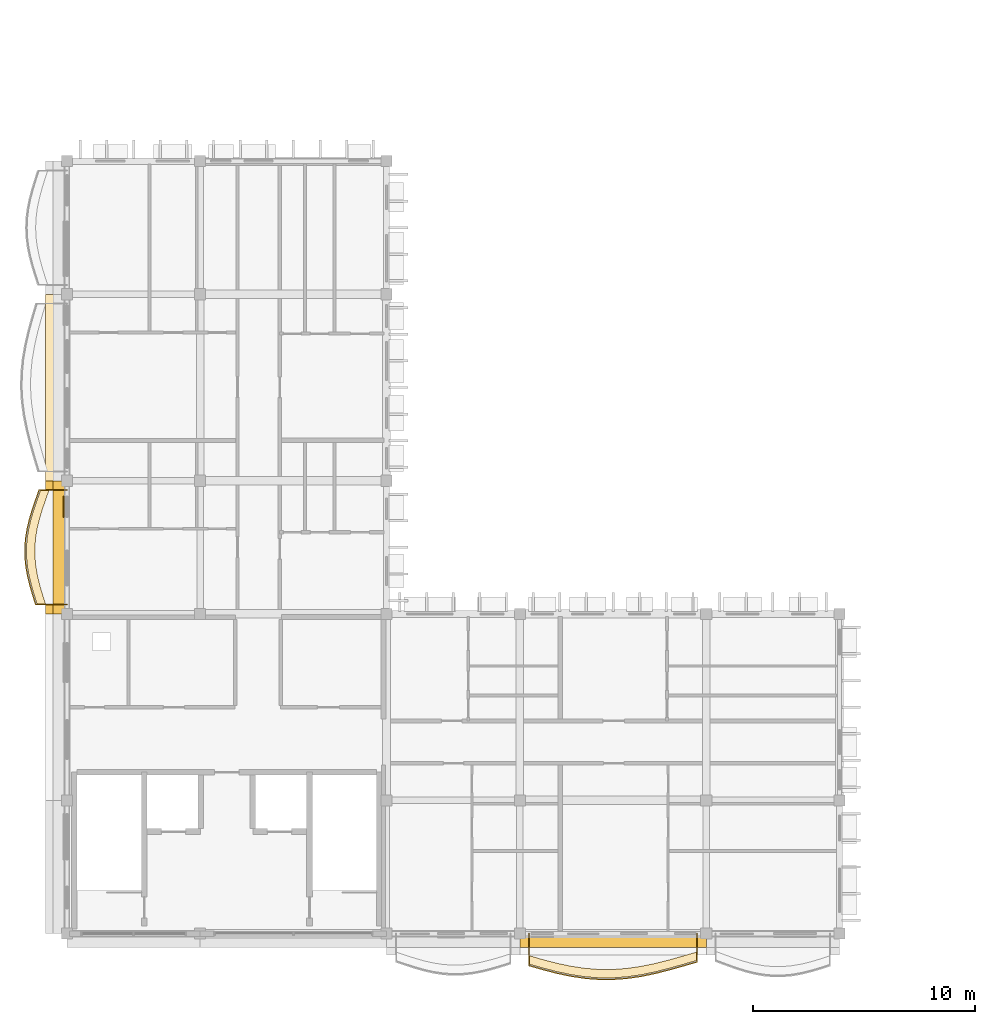
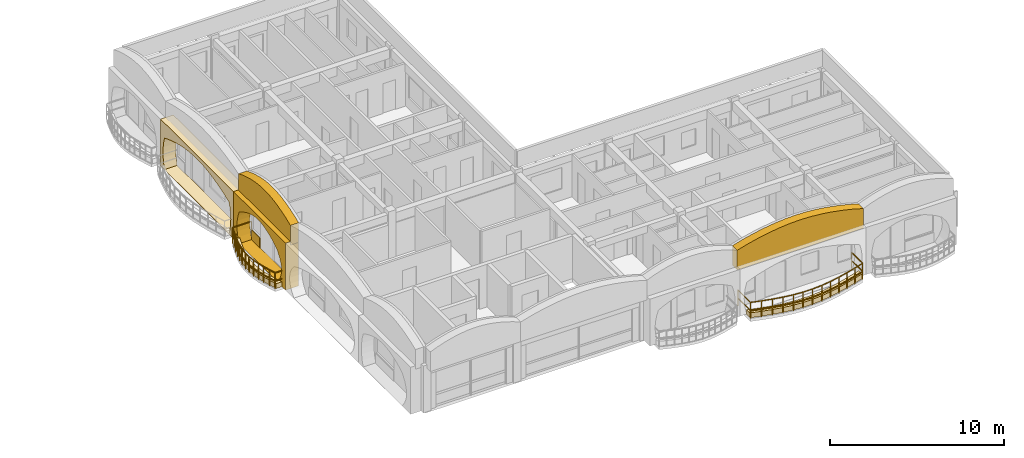
# One storey, part 30 of 45: 7 coverings, 2 railings.
"""IFC4 building model written with IfcOpenShell, lengths in metres."""

from ifc_helpers import new_model, si_unit, direction, frame, origin, origin_2d, place, context, subcontext, project, spatial, polyline, rectangle, outline, extrude, material, layer, layer_set, type_object, element, save


model = new_model("IFC4")

# Units and contexts
model_context = context("Model", 3, precision=1e-05, world=origin(), true_north=direction((0.0, 1.0)))
body_context = subcontext(model_context, "Body", "Model", "MODEL_VIEW")
ifc_project = project(units=[si_unit("LENGTHUNIT", "METRE"), si_unit("AREAUNIT", "SQUARE_METRE"), si_unit("VOLUMEUNIT", "CUBIC_METRE"), si_unit("PLANEANGLEUNIT", "RADIAN"), si_unit("MASSUNIT", "GRAM", prefix="KILO"), si_unit("THERMODYNAMICTEMPERATUREUNIT", "KELVIN")], contexts=[model_context])

# Site, building, storey
site_placement = place(None, origin())
site = spatial("IfcSite", under=ifc_project, at=site_placement, CompositionType="ELEMENT")
building_placement = place(site_placement, origin())
building = spatial("IfcBuilding", under=site, at=building_placement, Name="Thalorik Housing Commons", CompositionType="ELEMENT")
storey_placement = place(building_placement, frame((0.0, 0.0, 34.5)))
storey = spatial("IfcBuildingStorey", under=building, at=storey_placement, Name="L10", CompositionType="ELEMENT", Elevation=34.5)

# Coverings
ifc_material_1 = material(Name="Precast concrete C40/50", Category="concrete")
ifc_layer_1 = layer(ifc_material_1, 0.85009765625, Name="Precast concrete C40/50", Category="concrete")
ifc_layer_set_1 = layer_set([ifc_layer_1], Name="Precast concrete C40/50")
covering_type_1 = type_object("IfcCoveringType", Name="ARC-CLD-CUSH-850", PredefinedType="CLADDING", material=ifc_layer_set_1)
covering_1_placement = place(storey_placement, frame((7.867431640625, 33.0, 0.0), z_axis=(0.0, 0.0, 1.0), x_axis=(0.0, -1.0, 0.0)))
element("IfcCovering", 1, at=covering_1_placement, inside=storey, type_object=covering_type_1, Name="L10 White Precast Curved Cushion Bay Frame 4459", PredefinedType="CLADDING", context=body_context, shape_type="SweptSolid", body=[
    extrude(outline(polyline([(-4.199951171875, 0.0), (4.199951171875, 0.0), (4.199951171875, 3.300048828125), (-4.199951171875, 3.300048828125), (-4.199951171875, 0.0)]), holes=[polyline([(3.695068359375, 0.02490234375), (3.801513671875, 0.394287109375), (3.865478515625, 0.76318359375), (3.886962890625, 1.132568359375), (3.865478515625, 1.501708984375), (3.801513671875, 1.870849609375), (3.695068359375, 2.239990234375), (3.074951171875, 2.4833984375), (2.455078125, 2.6748046875), (1.8349609375, 2.82958984375), (1.215087890625, 2.94482421875), (0.594970703125, 3.01611328125), (-0.02490234375, 3.0400390625), (-0.64501953125, 3.01611328125), (-1.264892578125, 2.94482421875), (-1.885009765625, 2.82958984375), (-2.5048828125, 2.6748046875), (-3.125, 2.4833984375), (-3.7451171875, 2.239990234375), (-3.841064453125, 1.870849609375), (-3.898681640625, 1.501708984375), (-3.91796875, 1.132568359375), (-3.898681640625, 0.76318359375), (-3.841064453125, 0.394287109375), (-3.7451171875, 0.02490234375), (3.695068359375, 0.02490234375)])]), frame((0.0, 0.425048828125, 0.0), z_axis=(0.0, -1.0, 0.0), x_axis=(1.0, 0.0, 0.0)), (0.0, 0.0, 1.0), 0.85009765625),
])
covering_2_placement = place(storey_placement, frame((7.867431640625, 25.800048828125, 0.0), z_axis=(0.0, 0.0, 1.0), x_axis=(0.0, -1.0, 0.0)))
element("IfcCovering", 2, at=covering_2_placement, inside=storey, type_object=covering_type_1, Name="L10 White Precast Curved Cushion Bay Frame 4461", PredefinedType="CLADDING", context=body_context, shape_type="SweptSolid", body=[
    extrude(outline(polyline([(-3.0, 0.0), (3.0, 0.0), (3.0, 3.300048828125), (-3.0, 3.300048828125), (-3.0, 0.0)]), holes=[polyline([(2.0400390625, 0.02490234375), (2.3232421875, 0.394287109375), (2.493408203125, 0.76318359375), (2.550048828125, 1.132568359375), (2.493408203125, 1.501708984375), (2.3232421875, 1.870849609375), (2.0400390625, 2.239990234375), (1.67431640625, 2.4833984375), (1.308349609375, 2.6748046875), (0.9423828125, 2.82958984375), (0.57666015625, 2.94482421875), (0.210693359375, 3.01611328125), (-0.155029296875, 3.0400390625), (-0.520751953125, 3.01611328125), (-0.88671875, 2.94482421875), (-1.25244140625, 2.82958984375), (-1.618408203125, 2.6748046875), (-1.984130859375, 2.4833984375), (-2.35009765625, 2.239990234375), (-2.4873046875, 1.870849609375), (-2.569580078125, 1.501708984375), (-2.596923828125, 1.132568359375), (-2.569580078125, 0.76318359375), (-2.4873046875, 0.394287109375), (-2.35009765625, 0.02490234375), (2.0400390625, 0.02490234375)])]), frame((0.0, 0.425048828125, 0.0), z_axis=(0.0, -1.0, 0.0), x_axis=(1.0, 0.0, 0.0)), (0.0, 0.0, 1.0), 0.85009765625),
])
ifc_layer_2 = layer(ifc_material_1, 0.550048828125, Name="Precast concrete C40/50", Category="concrete")
ifc_layer_set_2 = layer_set([ifc_layer_2], Name="Precast concrete C40/50")
covering_type_2 = type_object("IfcCoveringType", Name="ARC-CLD-PAR-550", PredefinedType="CLADDING", material=ifc_layer_set_2)
covering_3_placement = place(storey_placement, frame((8.04248046875, 25.800048828125, 3.06005859375), z_axis=(0.0, 0.0, 1.0), x_axis=(0.0, -1.0, 0.0)))
element("IfcCovering", 3, at=covering_3_placement, inside=storey, type_object=covering_type_2, Name="L10 Block C Scalloped White Precast Parapet Crest 4517", PredefinedType="CLADDING", context=body_context, shape_type="SweptSolid", body=[
    extrude(outline(polyline([(-3.0, 0.0), (3.0, 0.0), (3.0, 1.3798828125), (2.5, 1.58154296875), (2.0, 1.744384765625), (1.5, 1.877685546875), (1.0, 1.977294921875), (0.5, 2.0390625), (0.0, 2.06005859375), (-0.5, 2.0390625), (-1.0, 1.977294921875), (-1.5, 1.877685546875), (-2.0, 1.744384765625), (-2.5, 1.58154296875), (-3.0, 1.3798828125), (-3.0, 0.0)])), frame((0.0, 0.27490234375, 0.0), z_axis=(0.0, -1.0, 0.0), x_axis=(1.0, 0.0, 0.0)), (0.0, 0.0, 1.0), 0.550048828125),
])
covering_4_placement = place(storey_placement, frame((33.0, 8.04248046875, 3.06005859375), z_axis=(0.0, 0.0, 1.0), x_axis=(1.0, 0.0, 0.0)))
element("IfcCovering", 4, at=covering_4_placement, inside=storey, type_object=covering_type_2, Name="L10 Block C Scalloped White Precast Parapet Crest 4523", PredefinedType="CLADDING", context=body_context, shape_type="SweptSolid", body=[
    extrude(outline(polyline([(-4.199951171875, 0.0), (4.199951171875, 0.0), (4.199951171875, 1.3798828125), (3.5, 1.58154296875), (2.800048828125, 1.744384765625), (2.10009765625, 1.877685546875), (1.39990234375, 1.977294921875), (0.699951171875, 2.0390625), (0.0, 2.06005859375), (-0.699951171875, 2.0390625), (-1.39990234375, 1.977294921875), (-2.10009765625, 1.877685546875), (-2.800048828125, 1.744384765625), (-3.5, 1.58154296875), (-4.199951171875, 1.3798828125), (-4.199951171875, 0.0)])), frame((0.0, 0.27490234375, 0.0), z_axis=(0.0, -1.0, 0.0), x_axis=(1.0, 0.0, 0.0)), (0.0, 0.0, 1.0), 0.550048828125),
])
ifc_material_2 = material(Name="Terracotta red mineral fibre-cement panel", Category="masonry")
ifc_layer_3 = layer(ifc_material_2, 0.054931640625, Name="Terracotta red mineral fibre-cement panel", Category="masonry")
ifc_layer_set_3 = layer_set([ifc_layer_3], Name="Terracotta red mineral fibre-cement panel")
covering_type_3 = type_object("IfcCoveringType", Name="ARC-CLD-RED-55", PredefinedType="CLADDING", material=ifc_layer_set_3)
covering_5_placement = place(storey_placement, frame((8.260009765625, 27.625, 0.0498046875), z_axis=(0.0, 0.0, 1.0), x_axis=(0.0, -1.0, 0.0)))
element("IfcCovering", 5, at=covering_5_placement, inside=storey, type_object=covering_type_3, Name="L10 De Stijl Recessed Window Spandrel 4462", PredefinedType="CLADDING", context=body_context, shape_type="SweptSolid", body=[
    extrude(rectangle(XDim=0.949951171875, YDim=0.054931640625, at=origin_2d()), origin(), (0.0, 0.0, 1.0), 0.699951171875),
])
ifc_material_3 = material(Name="Planted vegetated substrate and terracotta trough", Category="masonry")
ifc_layer_4 = layer(ifc_material_3, 0.340087890625, Name="Planted vegetated substrate and terracotta trough", Category="masonry")
ifc_layer_set_4 = layer_set([ifc_layer_4], Name="Planted vegetated substrate and terracotta trough")
covering_type_4 = type_object("IfcCoveringType", Name="ARC-COV-PLANTER", PredefinedType="USERDEFINED", material=ifc_layer_set_4)
covering_6_placement = place(storey_placement, origin())
element("IfcCovering", 6, at=covering_6_placement, inside=storey, type_object=covering_type_4, Name="L10 Balcony Slab-Edge Planted Trough 5639", ObjectType="PLANTER", PredefinedType="USERDEFINED", context=body_context, shape_type="SweptSolid", body=[
    extrude(outline(polyline([(7.213134765625, 28.3798828125), (7.060302734375, 27.949951171875), (6.913818359375, 27.52001953125), (6.7841796875, 27.090087890625), (6.68017578125, 26.659912109375), (6.608154296875, 26.22998046875), (6.572998046875, 25.800048828125), (6.576904296875, 25.3701171875), (6.618408203125, 24.93994140625), (6.694580078125, 24.510009765625), (6.79931640625, 24.080078125), (6.924560546875, 23.64990234375), (7.061279296875, 23.219970703125), (7.44140625, 23.219970703125), (7.304443359375, 23.64990234375), (7.17919921875, 24.080078125), (7.074462890625, 24.510009765625), (6.998291015625, 24.93994140625), (6.956787109375, 25.3701171875), (6.953125, 25.800048828125), (6.98828125, 26.22998046875), (7.06005859375, 26.659912109375), (7.164306640625, 27.090087890625), (7.2939453125, 27.52001953125), (7.440185546875, 27.949951171875), (7.59326171875, 28.3798828125), (7.213134765625, 28.3798828125)])), origin(), (0.0, 0.0, 1.0), 0.340087890625),
])
covering_7_placement = place(storey_placement, origin())
element("IfcCovering", 7, at=covering_7_placement, inside=storey, type_object=covering_type_4, Name="L10 Balcony Slab-Edge Planted Trough 5643", ObjectType="PLANTER", PredefinedType="USERDEFINED", context=body_context, shape_type="SweptSolid", body=[
    extrude(outline(polyline([(29.219970703125, 7.023681640625), (29.85009765625, 6.84375), (30.47998046875, 6.681884765625), (31.110107421875, 6.54931640625), (31.739990234375, 6.455322265625), (32.3701171875, 6.406005859375), (33.0, 6.40478515625), (33.6298828125, 6.45166015625), (34.260009765625, 6.543212890625), (34.889892578125, 6.6728515625), (35.52001953125, 6.831787109375), (36.14990234375, 7.0087890625), (36.780029296875, 7.19140625), (36.780029296875, 7.571533203125), (36.14990234375, 7.388671875), (35.52001953125, 7.2119140625), (34.889892578125, 7.052978515625), (34.260009765625, 6.923095703125), (33.6298828125, 6.831787109375), (33.0, 6.784912109375), (32.3701171875, 6.785888671875), (31.739990234375, 6.835205078125), (31.110107421875, 6.92919921875), (30.47998046875, 7.061767578125), (29.85009765625, 7.2236328125), (29.219970703125, 7.40380859375), (29.219970703125, 7.023681640625)])), origin(), (0.0, 0.0, 1.0), 0.340087890625),
])

# Railings
ifc_material_4 = material(Name="Steel S355", Category="steel")
railing_type = type_object("IfcRailingType", Name="ARC-RL-BAL-115", PredefinedType="BALUSTRADE", material=ifc_material_4)
railing_1_placement = place(storey_placement, frame((8.39990234375, 28.3798828125, 0.0)))
element("IfcRailing", 8, at=railing_1_placement, inside=storey, type_object=railing_type, Name="L10 Cushion Balcony Guardrail 323", PredefinedType="BALUSTRADE", context=body_context, shape_type="SweptSolid", body=[
    extrude(rectangle(XDim=0.050048828125, YDim=0.050048828125, at=origin_2d()), frame((0.0, 0.0, 1.125), z_axis=(-1.0, 0.0, 0.0), x_axis=(0.0, -1.0, 0.0)), (0.0, 0.0, 1.0), 1.256591796875),
    extrude(rectangle(XDim=0.050048828125, YDim=0.050048828125, at=origin_2d()), frame((0.0, 0.0, 0.5498046875), z_axis=(-1.0, 0.0, 0.0), x_axis=(0.0, -1.0, 0.0)), (0.0, 0.0, 1.0), 1.256591796875),
    extrude(rectangle(XDim=0.050048828125, YDim=0.050048828125, at=origin_2d()), frame((-1.256591796875, 0.0, 1.125), z_axis=(-0.335421235199, -0.942068253885, 0.0), x_axis=(0.942068253885, -0.335421235199, 0.0)), (0.0, 0.0, 1.0), 0.456298828125),
    extrude(rectangle(XDim=0.050048828125, YDim=0.050048828125, at=origin_2d()), frame((-1.256591796875, 0.0, 0.5498046875), z_axis=(-0.335421235199, -0.942068253885, 0.0), x_axis=(0.942068253885, -0.335421235199, 0.0)), (0.0, 0.0, 1.0), 0.456298828125),
    extrude(rectangle(XDim=0.050048828125, YDim=0.050048828125, at=origin_2d()), frame((-1.40966796875, -0.429931640625, 1.125), z_axis=(-0.322028024828, -0.94673013643, 0.0), x_axis=(0.94673013643, -0.322028024828, 0.0)), (0.0, 0.0, 1.0), 0.4541015625),
    extrude(rectangle(XDim=0.050048828125, YDim=0.050048828125, at=origin_2d()), frame((-1.40966796875, -0.429931640625, 0.5498046875), z_axis=(-0.322028024828, -0.94673013643, 0.0), x_axis=(0.94673013643, -0.322028024828, 0.0)), (0.0, 0.0, 1.0), 0.4541015625),
    extrude(rectangle(XDim=0.050048828125, YDim=0.050048828125, at=origin_2d()), frame((-1.555908203125, -0.85986328125, 1.125), z_axis=(-0.28869433299, -0.957421319012, 0.0), x_axis=(0.957421319012, -0.28869433299, 0.0)), (0.0, 0.0, 1.0), 0.448974609375),
    extrude(rectangle(XDim=0.050048828125, YDim=0.050048828125, at=origin_2d()), frame((-1.555908203125, -0.85986328125, 0.5498046875), z_axis=(-0.28869433299, -0.957421319012, 0.0), x_axis=(0.957421319012, -0.28869433299, 0.0)), (0.0, 0.0, 1.0), 0.448974609375),
    extrude(rectangle(XDim=0.050048828125, YDim=0.050048828125, at=origin_2d()), frame((-1.685546875, -1.289794921875, 1.125), z_axis=(-0.235521092215, -0.971869237666, 0.0), x_axis=(0.971869237666, -0.235521092215, 0.0)), (0.0, 0.0, 1.0), 0.442626953125),
    extrude(rectangle(XDim=0.050048828125, YDim=0.050048828125, at=origin_2d()), frame((-1.685546875, -1.289794921875, 0.5498046875), z_axis=(-0.235521092215, -0.971869237666, 0.0), x_axis=(0.971869237666, -0.235521092215, 0.0)), (0.0, 0.0, 1.0), 0.442626953125),
    extrude(rectangle(XDim=0.050048828125, YDim=0.050048828125, at=origin_2d()), frame((-1.789794921875, -1.719970703125, 1.125), z_axis=(-0.165216308844, -0.986257355507, 0.0), x_axis=(0.986257355507, -0.165216308844, 0.0)), (0.0, 0.0, 1.0), 0.43603515625),
    extrude(rectangle(XDim=0.050048828125, YDim=0.050048828125, at=origin_2d()), frame((-1.789794921875, -1.719970703125, 0.5498046875), z_axis=(-0.165216308844, -0.986257355507, 0.0), x_axis=(0.986257355507, -0.165216308844, 0.0)), (0.0, 0.0, 1.0), 0.43603515625),
    extrude(rectangle(XDim=0.050048828125, YDim=0.050048828125, at=origin_2d()), frame((-1.86181640625, -2.14990234375, 1.125), z_axis=(-0.080937446433, -0.996719183002, 0.0), x_axis=(0.996719183002, -0.080937446433, 0.0)), (0.0, 0.0, 1.0), 0.431396484375),
    extrude(rectangle(XDim=0.050048828125, YDim=0.050048828125, at=origin_2d()), frame((-1.86181640625, -2.14990234375, 0.5498046875), z_axis=(-0.080937446433, -0.996719183002, 0.0), x_axis=(0.996719183002, -0.080937446433, 0.0)), (0.0, 0.0, 1.0), 0.431396484375),
    extrude(rectangle(XDim=0.050048828125, YDim=0.050048828125, at=origin_2d()), frame((-1.896728515625, -2.579833984375, 1.125), z_axis=(0.008517578576, -0.99996372477, 0.0), x_axis=(0.99996372477, 0.008517578576, 0.0)), (0.0, 0.0, 1.0), 0.429931640625),
    extrude(rectangle(XDim=0.050048828125, YDim=0.050048828125, at=origin_2d()), frame((-1.896728515625, -2.579833984375, 0.5498046875), z_axis=(0.008517578576, -0.99996372477, 0.0), x_axis=(0.99996372477, 0.008517578576, 0.0)), (0.0, 0.0, 1.0), 0.429931640625),
    extrude(rectangle(XDim=0.050048828125, YDim=0.050048828125, at=origin_2d()), frame((-1.89306640625, -3.009765625, 1.125), z_axis=(0.09603532772, -0.995377926131, 0.0), x_axis=(0.995377926131, 0.09603532772, 0.0)), (0.0, 0.0, 1.0), 0.43212890625),
    extrude(rectangle(XDim=0.050048828125, YDim=0.050048828125, at=origin_2d()), frame((-1.89306640625, -3.009765625, 0.5498046875), z_axis=(0.09603532772, -0.995377926131, 0.0), x_axis=(0.995377926131, 0.09603532772, 0.0)), (0.0, 0.0, 1.0), 0.43212890625),
    extrude(rectangle(XDim=0.050048828125, YDim=0.050048828125, at=origin_2d()), frame((-1.8515625, -3.43994140625, 1.125), z_axis=(0.174455149241, -0.984665121198, 0.0), x_axis=(0.984665121198, 0.174455149241, 0.0)), (0.0, 0.0, 1.0), 0.4365234375),
    extrude(rectangle(XDim=0.050048828125, YDim=0.050048828125, at=origin_2d()), frame((-1.8515625, -3.43994140625, 0.5498046875), z_axis=(0.174455149241, -0.984665121198, 0.0), x_axis=(0.984665121198, 0.174455149241, 0.0)), (0.0, 0.0, 1.0), 0.4365234375),
    extrude(rectangle(XDim=0.050048828125, YDim=0.050048828125, at=origin_2d()), frame((-1.775390625, -3.869873046875, 1.125), z_axis=(0.236689448034, -0.971585356615, 0.0), x_axis=(0.971585356615, 0.236689448034, 0.0)), (0.0, 0.0, 1.0), 0.442626953125),
    extrude(rectangle(XDim=0.050048828125, YDim=0.050048828125, at=origin_2d()), frame((-1.775390625, -3.869873046875, 0.5498046875), z_axis=(0.236689448034, -0.971585356615, 0.0), x_axis=(0.971585356615, 0.236689448034, 0.0)), (0.0, 0.0, 1.0), 0.442626953125),
    extrude(rectangle(XDim=0.050048828125, YDim=0.050048828125, at=origin_2d()), frame((-1.670654296875, -4.2998046875, 1.125), z_axis=(0.279539626528, -0.960134155835, 0.0), x_axis=(0.960134155835, 0.279539626528, 0.0)), (0.0, 0.0, 1.0), 0.447998046875),
    extrude(rectangle(XDim=0.050048828125, YDim=0.050048828125, at=origin_2d()), frame((-1.670654296875, -4.2998046875, 0.5498046875), z_axis=(0.279539626528, -0.960134155835, 0.0), x_axis=(0.960134155835, 0.279539626528, 0.0)), (0.0, 0.0, 1.0), 0.447998046875),
    extrude(rectangle(XDim=0.050048828125, YDim=0.050048828125, at=origin_2d()), frame((-1.54541015625, -4.72998046875, 1.125), z_axis=(0.30304729671, -0.952975516976, 0.0), x_axis=(0.952975516976, 0.30304729671, 0.0)), (0.0, 0.0, 1.0), 0.451171875),
    extrude(rectangle(XDim=0.050048828125, YDim=0.050048828125, at=origin_2d()), frame((-1.54541015625, -4.72998046875, 0.5498046875), z_axis=(0.30304729671, -0.952975516976, 0.0), x_axis=(0.952975516976, 0.30304729671, 0.0)), (0.0, 0.0, 1.0), 0.451171875),
    extrude(rectangle(XDim=0.050048828125, YDim=0.050048828125, at=origin_2d()), frame((-1.40869140625, -5.159912109375, 1.125), z_axis=(1.0, 0.0, 0.0), x_axis=(0.0, 1.0, 0.0)), (0.0, 0.0, 1.0), 1.40869140625),
    extrude(rectangle(XDim=0.050048828125, YDim=0.050048828125, at=origin_2d()), frame((-1.40869140625, -5.159912109375, 0.5498046875), z_axis=(1.0, 0.0, 0.0), x_axis=(0.0, 1.0, 0.0)), (0.0, 0.0, 1.0), 1.40869140625),
    extrude(rectangle(XDim=0.0419921875, YDim=0.0419921875, at=origin_2d()), origin(), (0.0, 0.0, 1.0), 1.099853515625),
    extrude(rectangle(XDim=0.0419921875, YDim=0.0419921875, at=origin_2d()), frame((-1.256591796875, 0.0, 0.0)), (0.0, 0.0, 1.0), 1.099853515625),
    extrude(rectangle(XDim=0.0419921875, YDim=0.0419921875, at=origin_2d()), frame((-1.40966796875, -0.429931640625, 0.0)), (0.0, 0.0, 1.0), 1.099853515625),
    extrude(rectangle(XDim=0.0419921875, YDim=0.0419921875, at=origin_2d()), frame((-1.555908203125, -0.85986328125, 0.0)), (0.0, 0.0, 1.0), 1.099853515625),
    extrude(rectangle(XDim=0.0419921875, YDim=0.0419921875, at=origin_2d()), frame((-1.685546875, -1.289794921875, 0.0)), (0.0, 0.0, 1.0), 1.099853515625),
    extrude(rectangle(XDim=0.0419921875, YDim=0.0419921875, at=origin_2d()), frame((-1.789794921875, -1.719970703125, 0.0)), (0.0, 0.0, 1.0), 1.099853515625),
    extrude(rectangle(XDim=0.0419921875, YDim=0.0419921875, at=origin_2d()), frame((-1.86181640625, -2.14990234375, 0.0)), (0.0, 0.0, 1.0), 1.099853515625),
    extrude(rectangle(XDim=0.0419921875, YDim=0.0419921875, at=origin_2d()), frame((-1.896728515625, -2.579833984375, 0.0)), (0.0, 0.0, 1.0), 1.099853515625),
    extrude(rectangle(XDim=0.0419921875, YDim=0.0419921875, at=origin_2d()), frame((-1.89306640625, -3.009765625, 0.0)), (0.0, 0.0, 1.0), 1.099853515625),
    extrude(rectangle(XDim=0.0419921875, YDim=0.0419921875, at=origin_2d()), frame((-1.8515625, -3.43994140625, 0.0)), (0.0, 0.0, 1.0), 1.099853515625),
    extrude(rectangle(XDim=0.0419921875, YDim=0.0419921875, at=origin_2d()), frame((-1.775390625, -3.869873046875, 0.0)), (0.0, 0.0, 1.0), 1.099853515625),
    extrude(rectangle(XDim=0.0419921875, YDim=0.0419921875, at=origin_2d()), frame((-1.670654296875, -4.2998046875, 0.0)), (0.0, 0.0, 1.0), 1.099853515625),
    extrude(rectangle(XDim=0.0419921875, YDim=0.0419921875, at=origin_2d()), frame((-1.54541015625, -4.72998046875, 0.0)), (0.0, 0.0, 1.0), 1.099853515625),
    extrude(rectangle(XDim=0.0419921875, YDim=0.0419921875, at=origin_2d()), frame((-1.40869140625, -5.159912109375, 0.0)), (0.0, 0.0, 1.0), 1.099853515625),
    extrude(rectangle(XDim=0.0419921875, YDim=0.0419921875, at=origin_2d()), frame((0.0, -5.159912109375, 0.0)), (0.0, 0.0, 1.0), 1.099853515625),
])
railing_2_placement = place(storey_placement, frame((29.219970703125, 8.39990234375, 0.0)))
element("IfcRailing", 9, at=railing_2_placement, inside=storey, type_object=railing_type, Name="L10 Cushion Balcony Guardrail 327", PredefinedType="BALUSTRADE", context=body_context, shape_type="SweptSolid", body=[
    extrude(rectangle(XDim=0.050048828125, YDim=0.050048828125, at=origin_2d()), frame((0.0, 0.0, 1.125), z_axis=(0.0, -1.0, 0.0), x_axis=(1.0, 0.0, 0.0)), (0.0, 0.0, 1.0), 1.4462890625),
    extrude(rectangle(XDim=0.050048828125, YDim=0.050048828125, at=origin_2d()), frame((0.0, 0.0, 0.5498046875), z_axis=(0.0, -1.0, 0.0), x_axis=(1.0, 0.0, 0.0)), (0.0, 0.0, 1.0), 1.4462890625),
    extrude(rectangle(XDim=0.050048828125, YDim=0.050048828125, at=origin_2d()), frame((0.0, -1.4462890625, 1.125), z_axis=(0.96156611242, -0.274573508273, 0.0), x_axis=(0.274573508273, 0.96156611242, 0.0)), (0.0, 0.0, 1.0), 0.6552734375),
    extrude(rectangle(XDim=0.050048828125, YDim=0.050048828125, at=origin_2d()), frame((0.0, -1.4462890625, 0.5498046875), z_axis=(0.96156611242, -0.274573508273, 0.0), x_axis=(0.274573508273, 0.96156611242, 0.0)), (0.0, 0.0, 1.0), 0.6552734375),
    extrude(rectangle(XDim=0.050048828125, YDim=0.050048828125, at=origin_2d()), frame((0.630126953125, -1.626220703125, 1.125), z_axis=(0.968531725576, -0.248890129479, 0.0), x_axis=(0.248890129479, 0.968531725576, 0.0)), (0.0, 0.0, 1.0), 0.650390625),
    extrude(rectangle(XDim=0.050048828125, YDim=0.050048828125, at=origin_2d()), frame((0.630126953125, -1.626220703125, 0.5498046875), z_axis=(0.968531725576, -0.248890129479, 0.0), x_axis=(0.248890129479, 0.968531725576, 0.0)), (0.0, 0.0, 1.0), 0.650390625),
    extrude(rectangle(XDim=0.050048828125, YDim=0.050048828125, at=origin_2d()), frame((1.260009765625, -1.7880859375, 1.125), z_axis=(0.97857793529, -0.20587672176, 0.0), x_axis=(0.20587672176, 0.97857793529, 0.0)), (0.0, 0.0, 1.0), 0.64404296875),
    extrude(rectangle(XDim=0.050048828125, YDim=0.050048828125, at=origin_2d()), frame((1.260009765625, -1.7880859375, 0.5498046875), z_axis=(0.97857793529, -0.20587672176, 0.0), x_axis=(0.20587672176, 0.97857793529, 0.0)), (0.0, 0.0, 1.0), 0.64404296875),
    extrude(rectangle(XDim=0.050048828125, YDim=0.050048828125, at=origin_2d()), frame((1.89013671875, -1.920654296875, 1.125), z_axis=(0.989048543556, -0.147590577236, 0.0), x_axis=(0.147590577236, 0.989048543556, 0.0)), (0.0, 0.0, 1.0), 0.636962890625),
    extrude(rectangle(XDim=0.050048828125, YDim=0.050048828125, at=origin_2d()), frame((1.89013671875, -1.920654296875, 0.5498046875), z_axis=(0.989048543556, -0.147590577236, 0.0), x_axis=(0.147590577236, 0.989048543556, 0.0)), (0.0, 0.0, 1.0), 0.636962890625),
    extrude(rectangle(XDim=0.050048828125, YDim=0.050048828125, at=origin_2d()), frame((2.52001953125, -2.0146484375, 1.125), z_axis=(0.996951352735, -0.07802563861, 0.0), x_axis=(0.07802563861, 0.996951352735, 0.0)), (0.0, 0.0, 1.0), 0.632080078125),
    extrude(rectangle(XDim=0.050048828125, YDim=0.050048828125, at=origin_2d()), frame((2.52001953125, -2.0146484375, 0.5498046875), z_axis=(0.996951352735, -0.07802563861, 0.0), x_axis=(0.07802563861, 0.996951352735, 0.0)), (0.0, 0.0, 1.0), 0.632080078125),
    extrude(rectangle(XDim=0.050048828125, YDim=0.050048828125, at=origin_2d()), frame((3.150146484375, -2.06396484375, 1.125), z_axis=(0.999998798151, -0.001550385734, 0.0), x_axis=(0.001550385734, 0.999998798151, 0.0)), (0.0, 0.0, 1.0), 0.6298828125),
    extrude(rectangle(XDim=0.050048828125, YDim=0.050048828125, at=origin_2d()), frame((3.150146484375, -2.06396484375, 0.5498046875), z_axis=(0.999998798151, -0.001550385734, 0.0), x_axis=(0.001550385734, 0.999998798151, 0.0)), (0.0, 0.0, 1.0), 0.6298828125),
    extrude(rectangle(XDim=0.050048828125, YDim=0.050048828125, at=origin_2d()), frame((3.780029296875, -2.06494140625, 1.125), z_axis=(0.997270917573, 0.07382897103, 0.0), x_axis=(-0.07382897103, 0.997270917573, 0.0)), (0.0, 0.0, 1.0), 0.631591796875),
    extrude(rectangle(XDim=0.050048828125, YDim=0.050048828125, at=origin_2d()), frame((3.780029296875, -2.06494140625, 0.5498046875), z_axis=(0.997270917573, 0.07382897103, 0.0), x_axis=(-0.07382897103, 0.997270917573, 0.0)), (0.0, 0.0, 1.0), 0.631591796875),
    extrude(rectangle(XDim=0.050048828125, YDim=0.050048828125, at=origin_2d()), frame((4.409912109375, -2.018310546875, 1.125), z_axis=(0.989609265753, 0.143782826291, 0.0), x_axis=(-0.143782826291, 0.989609265753, 0.0)), (0.0, 0.0, 1.0), 0.63671875),
    extrude(rectangle(XDim=0.050048828125, YDim=0.050048828125, at=origin_2d()), frame((4.409912109375, -2.018310546875, 0.5498046875), z_axis=(0.989609265753, 0.143782826291, 0.0), x_axis=(-0.143782826291, 0.989609265753, 0.0)), (0.0, 0.0, 1.0), 0.63671875),
    extrude(rectangle(XDim=0.050048828125, YDim=0.050048828125, at=origin_2d()), frame((5.0400390625, -1.9267578125, 1.125), z_axis=(0.979470273401, 0.201588649293, 0.0), x_axis=(-0.201588649293, 0.979470273401, 0.0)), (0.0, 0.0, 1.0), 0.64306640625),
    extrude(rectangle(XDim=0.050048828125, YDim=0.050048828125, at=origin_2d()), frame((5.0400390625, -1.9267578125, 0.5498046875), z_axis=(0.979470273401, 0.201588649293, 0.0), x_axis=(-0.201588649293, 0.979470273401, 0.0)), (0.0, 0.0, 1.0), 0.64306640625),
    extrude(rectangle(XDim=0.050048828125, YDim=0.050048828125, at=origin_2d()), frame((5.669921875, -1.797119140625, 1.125), z_axis=(0.969632095799, 0.244568188441, 0.0), x_axis=(-0.244568188441, 0.969632095799, 0.0)), (0.0, 0.0, 1.0), 0.64990234375),
    extrude(rectangle(XDim=0.050048828125, YDim=0.050048828125, at=origin_2d()), frame((5.669921875, -1.797119140625, 0.5498046875), z_axis=(0.969632095799, 0.244568188441, 0.0), x_axis=(-0.244568188441, 0.969632095799, 0.0)), (0.0, 0.0, 1.0), 0.64990234375),
    extrude(rectangle(XDim=0.050048828125, YDim=0.050048828125, at=origin_2d()), frame((6.300048828125, -1.63818359375, 1.125), z_axis=(0.962711699543, 0.270529450453, 0.0), x_axis=(-0.270529450453, 0.962711699543, 0.0)), (0.0, 0.0, 1.0), 0.654296875),
    extrude(rectangle(XDim=0.050048828125, YDim=0.050048828125, at=origin_2d()), frame((6.300048828125, -1.63818359375, 0.5498046875), z_axis=(0.962711699543, 0.270529450453, 0.0), x_axis=(-0.270529450453, 0.962711699543, 0.0)), (0.0, 0.0, 1.0), 0.654296875),
    extrude(rectangle(XDim=0.050048828125, YDim=0.050048828125, at=origin_2d()), frame((6.929931640625, -1.461181640625, 1.125), z_axis=(0.960378359136, 0.278699492829, 0.0), x_axis=(-0.278699492829, 0.960378359136, 0.0)), (0.0, 0.0, 1.0), 0.656005859375),
    extrude(rectangle(XDim=0.050048828125, YDim=0.050048828125, at=origin_2d()), frame((6.929931640625, -1.461181640625, 0.5498046875), z_axis=(0.960378359136, 0.278699492829, 0.0), x_axis=(-0.278699492829, 0.960378359136, 0.0)), (0.0, 0.0, 1.0), 0.656005859375),
    extrude(rectangle(XDim=0.050048828125, YDim=0.050048828125, at=origin_2d()), frame((7.56005859375, -1.2783203125, 1.125), z_axis=(0.0, 1.0, 0.0), x_axis=(-1.0, 0.0, 0.0)), (0.0, 0.0, 1.0), 1.2783203125),
    extrude(rectangle(XDim=0.050048828125, YDim=0.050048828125, at=origin_2d()), frame((7.56005859375, -1.2783203125, 0.5498046875), z_axis=(0.0, 1.0, 0.0), x_axis=(-1.0, 0.0, 0.0)), (0.0, 0.0, 1.0), 1.2783203125),
    extrude(rectangle(XDim=0.0419921875, YDim=0.0419921875, at=origin_2d()), origin(), (0.0, 0.0, 1.0), 1.099853515625),
    extrude(rectangle(XDim=0.0419921875, YDim=0.0419921875, at=origin_2d()), frame((0.0, -1.4462890625, 0.0)), (0.0, 0.0, 1.0), 1.099853515625),
    extrude(rectangle(XDim=0.0419921875, YDim=0.0419921875, at=origin_2d()), frame((0.630126953125, -1.626220703125, 0.0)), (0.0, 0.0, 1.0), 1.099853515625),
    extrude(rectangle(XDim=0.0419921875, YDim=0.0419921875, at=origin_2d()), frame((1.260009765625, -1.7880859375, 0.0)), (0.0, 0.0, 1.0), 1.099853515625),
    extrude(rectangle(XDim=0.0419921875, YDim=0.0419921875, at=origin_2d()), frame((1.89013671875, -1.920654296875, 0.0)), (0.0, 0.0, 1.0), 1.099853515625),
    extrude(rectangle(XDim=0.0419921875, YDim=0.0419921875, at=origin_2d()), frame((2.52001953125, -2.0146484375, 0.0)), (0.0, 0.0, 1.0), 1.099853515625),
    extrude(rectangle(XDim=0.0419921875, YDim=0.0419921875, at=origin_2d()), frame((3.150146484375, -2.06396484375, 0.0)), (0.0, 0.0, 1.0), 1.099853515625),
    extrude(rectangle(XDim=0.0419921875, YDim=0.0419921875, at=origin_2d()), frame((3.780029296875, -2.06494140625, 0.0)), (0.0, 0.0, 1.0), 1.099853515625),
    extrude(rectangle(XDim=0.0419921875, YDim=0.0419921875, at=origin_2d()), frame((4.409912109375, -2.018310546875, 0.0)), (0.0, 0.0, 1.0), 1.099853515625),
    extrude(rectangle(XDim=0.0419921875, YDim=0.0419921875, at=origin_2d()), frame((5.0400390625, -1.9267578125, 0.0)), (0.0, 0.0, 1.0), 1.099853515625),
    extrude(rectangle(XDim=0.0419921875, YDim=0.0419921875, at=origin_2d()), frame((5.669921875, -1.797119140625, 0.0)), (0.0, 0.0, 1.0), 1.099853515625),
    extrude(rectangle(XDim=0.0419921875, YDim=0.0419921875, at=origin_2d()), frame((6.300048828125, -1.63818359375, 0.0)), (0.0, 0.0, 1.0), 1.099853515625),
    extrude(rectangle(XDim=0.0419921875, YDim=0.0419921875, at=origin_2d()), frame((6.929931640625, -1.461181640625, 0.0)), (0.0, 0.0, 1.0), 1.099853515625),
    extrude(rectangle(XDim=0.0419921875, YDim=0.0419921875, at=origin_2d()), frame((7.56005859375, -1.2783203125, 0.0)), (0.0, 0.0, 1.0), 1.099853515625),
    extrude(rectangle(XDim=0.0419921875, YDim=0.0419921875, at=origin_2d()), frame((7.56005859375, 0.0, 0.0)), (0.0, 0.0, 1.0), 1.099853515625),
])

save(model, "model.ifc")
